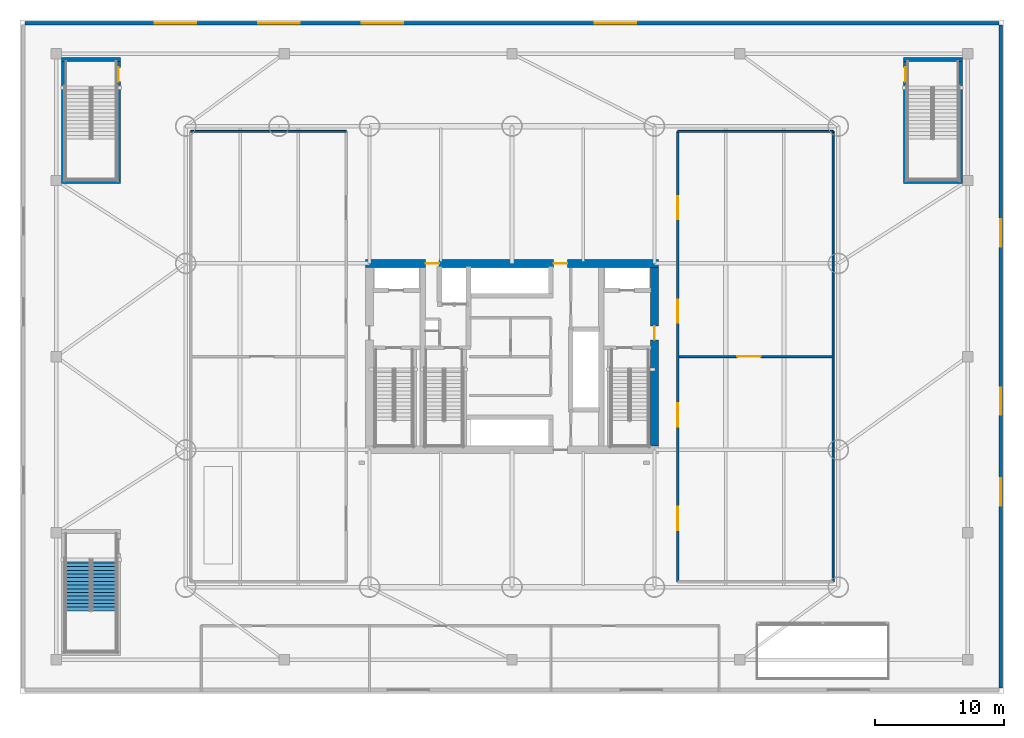
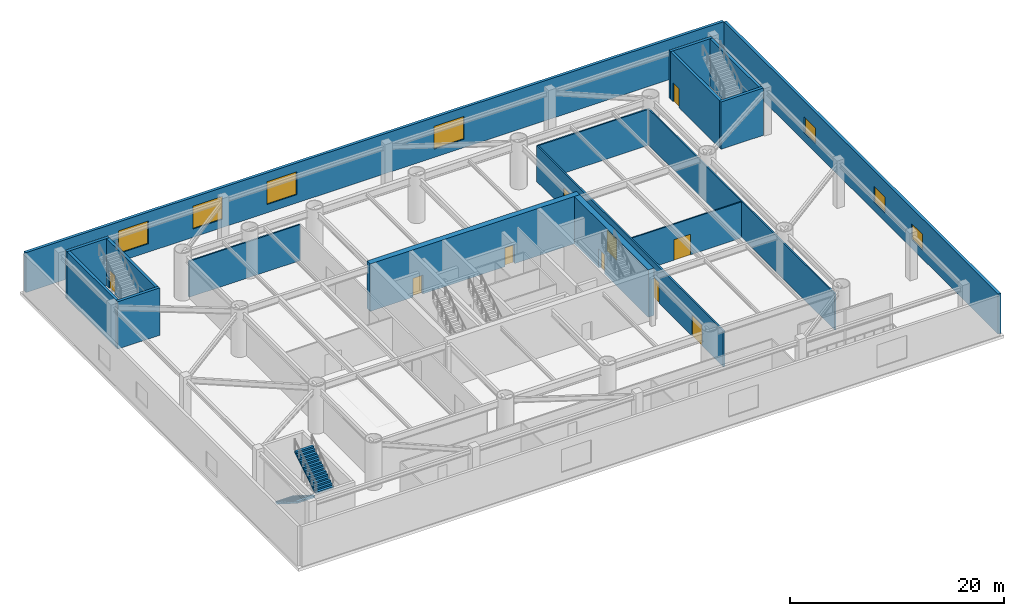
# One storey, part 8 of 16: 17 walls, 10 doors, 7 windows, 2 stair flights, 17 openings, 1 element without a shape of its own.
"""IFC4 building model written with IfcOpenShell, lengths in metres."""

import ifcopenshell
import ifcopenshell.guid

model = None  # the IFC model being written
_history = None  # IfcOwnerHistory: only IFC2X3 demands one
_inside = {}  # id of a spatial element -> (the spatial element, [elements in it])
_under = {}  # id of a project, library or spatial element -> (it, [spatial elements below it])
_declared = {}  # id of a project -> (the project, [libraries it declares])
_typed = {}  # id of a type object -> (the type object, [elements of that type])
_made_of = {}  # id of a material, layer set ... -> (it, [elements and type objects made of it])


def new_model(schema):
    """Start an empty IFC model of exactly this schema.

    Asked for "IFC4X3", IfcOpenShell would pick the latest addendum, in which some entities
    have other attributes; the version numbers below select the first issue.
    IFC2X3 requires an IfcOwnerHistory on every rooted entity: one is made here for all.
    """
    global model, _history
    if schema == "IFC4X3":
        model = ifcopenshell.file(schema_version=(4, 3, 0, 0))
    else:
        model = ifcopenshell.file(schema=schema)
    _inside.clear()
    _under.clear()
    _declared.clear()
    _typed.clear()
    _made_of.clear()
    _history = None
    if model.schema == "IFC2X3":
        org = make("IfcOrganization", Name="unknown")
        user = make(
            "IfcPersonAndOrganization",
            ThePerson=make("IfcPerson", FamilyName="unknown"),
            TheOrganization=org,
        )
        app = make(
            "IfcApplication",
            ApplicationDeveloper=org,
            Version="unknown",
            ApplicationFullName="unknown",
            ApplicationIdentifier="unknown",
        )
        _history = make(
            "IfcOwnerHistory",
            OwningUser=user,
            OwningApplication=app,
            ChangeAction="ADDED",
            CreationDate=0,
        )
    return model


def make(cls, **values):
    """One entity of the class cls with the attributes given. An attribute that is None is left unset."""
    return model.create_entity(
        cls, **{name: value for name, value in values.items() if value is not None}
    )


def rooted(cls, **values):
    """An entity with a GlobalId (a new one), such as an element, a storey or a relation."""
    return make(cls, GlobalId=ifcopenshell.guid.new(), OwnerHistory=_history, **values)


def si_unit(unit_type, name, prefix=None):
    """IfcSIUnit, for example si_unit("LENGTHUNIT", "METRE", prefix="MILLI")."""
    return make("IfcSIUnit", UnitType=unit_type, Prefix=prefix, Name=name)


def assignment(units):
    """IfcUnitAssignment: the units of a project."""
    return None if units is None else make("IfcUnitAssignment", Units=units)


def point(xyz):
    """IfcCartesianPoint."""
    return None if xyz is None else make("IfcCartesianPoint", Coordinates=xyz)


def direction(xyz):
    """IfcDirection."""
    return None if xyz is None else make("IfcDirection", DirectionRatios=xyz)


def frame(location, z_axis=None, x_axis=None):
    """IfcAxis2Placement3D, a coordinate frame: its origin and axes. An axis left out is left unset."""
    return make(
        "IfcAxis2Placement3D",
        Location=point(location),
        Axis=direction(z_axis),
        RefDirection=direction(x_axis),
    )


def frame_2d(location, x_axis=None):
    """IfcAxis2Placement2D, a coordinate frame in the plane: its origin and x axis."""
    return make(
        "IfcAxis2Placement2D", Location=point(location), RefDirection=direction(x_axis)
    )


def origin():
    """The frame at (0, 0, 0) with its axes left unset."""
    return frame((0.0, 0.0, 0.0))


def place(relative_to, where):
    """IfcLocalPlacement: puts the frame where relative to a parent placement (None: the world)."""
    return make(
        "IfcLocalPlacement", PlacementRelTo=relative_to, RelativePlacement=where
    )


def context(
    kind, dimensions, precision=None, world=None, true_north=None, identifier=None
):
    """IfcGeometricRepresentationContext, for example the 3D "Model" context."""
    return make(
        "IfcGeometricRepresentationContext",
        ContextIdentifier=identifier,
        ContextType=kind,
        CoordinateSpaceDimension=dimensions,
        Precision=precision,
        WorldCoordinateSystem=world,
        TrueNorth=true_north,
    )


def subcontext(parent, identifier, kind, view, scale=None):
    """IfcGeometricRepresentationSubContext, for example "Body" below "Model"."""
    return make(
        "IfcGeometricRepresentationSubContext",
        ContextIdentifier=identifier,
        ContextType=kind,
        ParentContext=parent,
        TargetScale=scale,
        TargetView=view,
    )


def project(units=None, contexts=None):
    """IfcProject with its units and contexts."""
    return rooted(
        "IfcProject",
        Name="project",
        RepresentationContexts=contexts,
        UnitsInContext=assignment(units),
    )


def spatial(cls, under=None, at=None, **own):
    """A site, building, storey or space (cls), placed at a placement, below another one or the project."""
    s = rooted(cls, ObjectPlacement=at, **own)
    if under is not None:
        _under.setdefault(under.id(), (under, []))[1].append(s)
    return s


def polyline(points):
    """IfcPolyline through the points."""
    return make("IfcPolyline", Points=[point(p) for p in points])


def profile(cls, at=None, kind="AREA", **sizes):
    """A parametric profile (cls). Its sizes go by their IFC names, for example OverallWidth=200.0."""
    return make(cls, ProfileType=kind, Position=at, **sizes)


def rectangle(**sizes):
    """IfcRectangleProfileDef."""
    return profile("IfcRectangleProfileDef", **sizes)


def outline(outer, holes=None, kind="AREA"):
    """IfcArbitraryClosedProfileDef: a profile drawn as a closed curve; with holes, ...WithVoids."""
    if holes is None:
        return make("IfcArbitraryClosedProfileDef", ProfileType=kind, OuterCurve=outer)
    return make(
        "IfcArbitraryProfileDefWithVoids",
        ProfileType=kind,
        OuterCurve=outer,
        InnerCurves=holes,
    )


def extrude(swept, where, along, depth):
    """IfcExtrudedAreaSolid: the profile swept, set in the frame where, extruded along a direction by depth."""
    return make(
        "IfcExtrudedAreaSolid",
        SweptArea=swept,
        Position=where,
        ExtrudedDirection=direction(along),
        Depth=depth,
    )


def shape(context_of_items, identifier, shape_type, items):
    """IfcShapeRepresentation: the items that make up one representation, for example the "Body"."""
    return make(
        "IfcShapeRepresentation",
        ContextOfItems=context_of_items,
        RepresentationIdentifier=identifier,
        RepresentationType=shape_type,
        Items=items,
    )


def material(Name=None, Category=None):
    """IfcMaterial."""
    return make("IfcMaterial", Name=Name, Category=Category)


def layer(
    of_material, thickness, ventilated=None, Name=None, Category=None, Priority=None
):
    """IfcMaterialLayer: one layer of a wall or slab, of a material (None: an air gap)."""
    return make(
        "IfcMaterialLayer",
        Material=of_material,
        LayerThickness=thickness,
        IsVentilated=ventilated,
        Name=Name,
        Category=Category,
        Priority=Priority,
    )


def layer_set(layers, Name=None):
    """IfcMaterialLayerSet."""
    return make("IfcMaterialLayerSet", MaterialLayers=layers, LayerSetName=Name)


def made_of(thing, what):
    """Note that an element or type object is made of a material, layer set ...; save() writes the relation."""
    if what is not None:
        _made_of.setdefault(what.id(), (what, []))[1].append(thing)
    return thing


def type_object(cls, material=None, **own):
    """A type object (cls), such as IfcWallType, which elements share."""
    return made_of(rooted(cls, **own), material)


def element(
    cls,
    number,
    at=None,
    inside=None,
    cuts=None,
    type_object=None,
    material=None,
    context=None,
    identifier="Body",
    shape_type=None,
    held_by="IfcProductDefinitionShape",
    body=None,
    shapes=None,
    **own,
):
    """One element of the class cls, such as IfcWall. Its Tag is "e" and its number.

    at: its placement. inside: the storey or other place that contains it. cuts: it is an
    opening in that element (IfcRelVoidsElement). A single representation is given by context,
    identifier, shape_type and body (its items); several are given by shapes. held_by: the class
    of the entity that holds the representations. save() writes the other relations.
    """
    e = rooted(cls, Tag="e%d" % number, ObjectPlacement=at, **own)
    if body is not None:
        shapes = [shape(context, identifier, shape_type, body)]
    if shapes is not None:
        e.Representation = make(held_by, Representations=shapes)
    if inside is not None:
        _inside.setdefault(inside.id(), (inside, []))[1].append(e)
    if cuts is not None:
        rooted(
            "IfcRelVoidsElement", RelatingBuildingElement=cuts, RelatedOpeningElement=e
        )
    if type_object is not None:
        _typed.setdefault(type_object.id(), (type_object, []))[1].append(e)
    return made_of(e, material)


def fill(opening, filler):
    """IfcRelFillsElement: the door or window that sits in an opening."""
    return rooted(
        "IfcRelFillsElement",
        RelatingOpeningElement=opening,
        RelatedBuildingElement=filler,
    )


def aggregate(whole, parts):
    """IfcRelAggregates: a whole, such as a stair, and the parts it consists of."""
    return rooted("IfcRelAggregates", RelatingObject=whole, RelatedObjects=parts)


def save(model, path):
    """Write the relations noted so far, then the file.

    IfcRelAggregates (storeys below a building ...), IfcRelContainedInSpatialStructure (elements
    in a storey), IfcRelDefinesByType, IfcRelAssociatesMaterial and IfcRelDeclares: one each for
    every whole, place, type object, material and project.
    """
    for whole, parts in _under.values():
        aggregate(whole, parts)
    for where, things in _inside.values():
        rooted(
            "IfcRelContainedInSpatialStructure",
            RelatedElements=things,
            RelatingStructure=where,
        )
    for kind, things in _typed.values():
        rooted("IfcRelDefinesByType", RelatedObjects=things, RelatingType=kind)
    for what, things in _made_of.values():
        rooted("IfcRelAssociatesMaterial", RelatedObjects=things, RelatingMaterial=what)
    for by, libraries in _declared.values():
        rooted("IfcRelDeclares", RelatingContext=by, RelatedDefinitions=libraries)
    model.write(path)


model = new_model("IFC4")

# Units and contexts
model_context = context("Model", 3, precision=1e-05, world=origin(), true_north=direction((0.0, 1.0)))
body_context = subcontext(model_context, "Body", "Model", "MODEL_VIEW")
ifc_project = project(units=[si_unit("LENGTHUNIT", "METRE"), si_unit("AREAUNIT", "SQUARE_METRE"), si_unit("VOLUMEUNIT", "CUBIC_METRE"), si_unit("PLANEANGLEUNIT", "RADIAN"), si_unit("MASSUNIT", "GRAM", prefix="KILO")], contexts=[model_context])

# Site, building, storey
site_placement = place(None, origin())
site = spatial("IfcSite", under=ifc_project, at=site_placement, CompositionType="ELEMENT")
building_placement = place(site_placement, origin())
building = spatial("IfcBuilding", under=site, at=building_placement, Name="Bramvorn Convention Spire", CompositionType="ELEMENT")
storey_placement = place(building_placement, frame((0.0, 0.0, 6.60009765625)))
storey = spatial("IfcBuildingStorey", under=building, at=storey_placement, Name="L01", CompositionType="ELEMENT", Elevation=6.60009765625)

# Wall, openings, doors
ifc_material_1 = material(Name="Concrete C60/70", Category="concrete")
ifc_layer_1 = layer(ifc_material_1, 0.60009765625)
ifc_layer_set_1 = layer_set([ifc_layer_1], Name="Concrete C60/70 - WL-CORE-600")
wall_type_1 = type_object("IfcWallType", Name="WL-CORE-600", PredefinedType="SHEAR", material=ifc_layer_set_1)
wall_1_placement = place(storey_placement, frame((26.699951171875, 33.199951171875, 0.0), z_axis=(0.0, 0.0, 1.0), x_axis=(1.0, 0.0, 0.0)))
wall_1 = element("IfcWall", 1, at=wall_1_placement, inside=storey, type_object=wall_type_1, Name="L01 North RC core shear wall", PredefinedType="SHEAR", context=body_context, shape_type="SweptSolid", body=[
    extrude(rectangle(XDim=22.60009765625, YDim=0.60009765625, at=frame_2d((11.300048828125, 0.0))), origin(), (0.0, 0.0, 1.0), 5.39990234375),
])
opening_1_placement = place(wall_1_placement, frame((4.6201171875, 0.0, 0.0)))
opening_1 = element("IfcOpeningElement", 2, at=opening_1_placement, cuts=wall_1, Name="Opening DL-105", PredefinedType="OPENING", context=body_context, shape_type="SweptSolid", body=[
    extrude(rectangle(XDim=1.050048828125, YDim=2.14990234375, at=frame_2d((0.52490234375, 1.074951171875))), frame((0.0, 0.31005859375, 0.0), z_axis=(0.0, -1.0, 0.0), x_axis=(1.0, 0.0, 0.0)), (0.0, 0.0, 1.0), 0.6201171875),
])
opening_2_placement = place(wall_1_placement, frame((14.52001953125, 0.0, 0.0)))
opening_2 = element("IfcOpeningElement", 3, at=opening_2_placement, cuts=wall_1, Name="Opening DL-105", PredefinedType="OPENING", context=body_context, shape_type="SweptSolid", body=[
    extrude(rectangle(XDim=1.050048828125, YDim=2.14990234375, at=frame_2d((0.52490234375, 1.074951171875))), frame((0.0, 0.31005859375, 0.0), z_axis=(0.0, -1.0, 0.0), x_axis=(1.0, 0.0, 0.0)), (0.0, 0.0, 1.0), 0.6201171875),
])
ifc_material_2 = material(Name="Smoke-Sealed Fire Lobby Timber-Core Door", Category="wood")
door_type_1 = type_object("IfcDoorType", Name="DR-LOBBY-1050", OperationType="NOTDEFINED", PredefinedType="DOOR", material=ifc_material_2)
door_1_placement = place(opening_1_placement, origin())
door_1 = element("IfcDoor", 4, at=door_1_placement, inside=storey, type_object=door_type_1, Name="L01 Service & Stair ST3 Lobby north corridor door", OperationType="SINGLE_SWING_LEFT", OverallHeight=2.14990234375, OverallWidth=1.050048828125, PredefinedType="DOOR", context=body_context, shape_type="SweptSolid", body=[
    extrude(rectangle(XDim=1.050048828125, YDim=2.14990234375, at=frame_2d((0.52490234375, 1.074951171875))), frame((0.0, 0.02490234375, 0.0), z_axis=(0.0, -1.0, 0.0), x_axis=(1.0, 0.0, 0.0)), (0.0, 0.0, 1.0), 0.050048828125),
])
fill(opening_1, door_1)
door_2_placement = place(opening_2_placement, origin())
door_2 = element("IfcDoor", 5, at=door_2_placement, inside=storey, type_object=door_type_1, Name="L01 North Lift Lobby fire door", OperationType="SINGLE_SWING_LEFT", OverallHeight=2.14990234375, OverallWidth=1.050048828125, PredefinedType="DOOR", context=body_context, shape_type="SweptSolid", body=[
    extrude(rectangle(XDim=1.050048828125, YDim=2.14990234375, at=frame_2d((0.52490234375, 1.074951171875))), frame((0.0, 0.02490234375, 0.0), z_axis=(0.0, -1.0, 0.0), x_axis=(1.0, 0.0, 0.0)), (0.0, 0.0, 1.0), 0.050048828125),
])
fill(opening_2, door_2)

# Wall, opening, door
wall_2_placement = place(storey_placement, frame((49.0, 19.10009765625, 0.0), z_axis=(0.0, 0.0, 1.0), x_axis=(0.0, 1.0, 0.0)))
wall_2 = element("IfcWall", 6, at=wall_2_placement, inside=storey, type_object=wall_type_1, Name="L01 East RC core shear wall", PredefinedType="SHEAR", context=body_context, shape_type="SweptSolid", body=[
    extrude(rectangle(XDim=13.7998046875, YDim=0.60009765625, at=frame_2d((6.89990234375, 0.0))), origin(), (0.0, 0.0, 1.0), 5.39990234375),
])
opening_3_placement = place(wall_2_placement, frame((8.199951171875, 0.0, 0.0)))
opening_3 = element("IfcOpeningElement", 7, at=opening_3_placement, cuts=wall_2, Name="Opening DL-105", PredefinedType="OPENING", context=body_context, shape_type="SweptSolid", body=[
    extrude(rectangle(XDim=1.050048828125, YDim=2.14990234375, at=frame_2d((0.52490234375, 1.074951171875))), frame((0.0, 0.31005859375, 0.0), z_axis=(0.0, -1.0, 0.0), x_axis=(1.0, 0.0, 0.0)), (0.0, 0.0, 1.0), 0.6201171875),
])
door_3_placement = place(opening_3_placement, origin())
door_3 = element("IfcDoor", 8, at=door_3_placement, inside=storey, type_object=door_type_1, Name="L01 East Firefighting Lobby corridor door", OperationType="SINGLE_SWING_LEFT", OverallHeight=2.14990234375, OverallWidth=1.050048828125, PredefinedType="DOOR", context=body_context, shape_type="SweptSolid", body=[
    extrude(rectangle(XDim=1.050048828125, YDim=2.14990234375, at=frame_2d((0.52490234375, 1.074951171875))), frame((0.0, 0.02490234375, 0.0), z_axis=(0.0, -1.0, 0.0), x_axis=(1.0, 0.0, 0.0)), (0.0, 0.0, 1.0), 0.050048828125),
])
fill(opening_3, door_3)

# Wall, openings, windows
ifc_material_3 = material(Name="Precast Concrete C40/50 with Bronze Terracotta Rainscreen", Category="masonry")
ifc_layer_2 = layer(ifc_material_3, 0.300048828125)
ifc_layer_set_2 = layer_set([ifc_layer_2], Name="Precast Concrete C40/50 with Bronze Terracotta Rainscreen - WL-EXT-BRONZE-300")
wall_type_2 = type_object("IfcWallType", Name="WL-EXT-BRONZE-300", PredefinedType="SOLIDWALL", material=ifc_layer_set_2)
wall_3_placement = place(storey_placement, frame((0.39990234375, 51.75, 0.0), z_axis=(0.0, 0.0, 1.0), x_axis=(1.0, 0.0, 0.0)))
wall_3 = element("IfcWall", 9, at=wall_3_placement, inside=storey, type_object=wall_type_2, Name="L01 North podium bronze facade wall", PredefinedType="SOLIDWALL", context=body_context, shape_type="SweptSolid", body=[
    extrude(rectangle(XDim=75.2001953125, YDim=0.300048828125, at=frame_2d((37.60009765625, 0.0))), origin(), (0.0, 0.0, 1.0), 4.559814453125),
])
opening_4_placement = place(wall_3_placement, frame((10.0, 0.0, 0.949951171875)))
opening_4 = element("IfcOpeningElement", 10, at=opening_4_placement, cuts=wall_3, Name="Opening WN10", PredefinedType="OPENING", context=body_context, shape_type="SweptSolid", body=[
    extrude(rectangle(XDim=3.199951171875, YDim=2.60009765625, at=frame_2d((1.60009765625, 1.300048828125))), frame((0.0, 0.159912109375, 0.0), z_axis=(0.0, -1.0, 0.0), x_axis=(1.0, 0.0, 0.0)), (0.0, 0.0, 1.0), 0.320068359375),
])
opening_5_placement = place(wall_3_placement, frame((18.0, 0.0, 0.949951171875)))
opening_5 = element("IfcOpeningElement", 11, at=opening_5_placement, cuts=wall_3, Name="Opening WN10", PredefinedType="OPENING", context=body_context, shape_type="SweptSolid", body=[
    extrude(rectangle(XDim=3.199951171875, YDim=2.60009765625, at=frame_2d((1.60009765625, 1.300048828125))), frame((0.0, 0.159912109375, 0.0), z_axis=(0.0, -1.0, 0.0), x_axis=(1.0, 0.0, 0.0)), (0.0, 0.0, 1.0), 0.320068359375),
])
opening_6_placement = place(wall_3_placement, frame((26.0, 0.0, 0.949951171875)))
opening_6 = element("IfcOpeningElement", 12, at=opening_6_placement, cuts=wall_3, Name="Opening WN10", PredefinedType="OPENING", context=body_context, shape_type="SweptSolid", body=[
    extrude(rectangle(XDim=3.199951171875, YDim=2.60009765625, at=frame_2d((1.60009765625, 1.300048828125))), frame((0.0, 0.159912109375, 0.0), z_axis=(0.0, -1.0, 0.0), x_axis=(1.0, 0.0, 0.0)), (0.0, 0.0, 1.0), 0.320068359375),
])
opening_7_placement = place(wall_3_placement, frame((44.0, 0.0, 0.949951171875)))
opening_7 = element("IfcOpeningElement", 13, at=opening_7_placement, cuts=wall_3, Name="Opening WN10", PredefinedType="OPENING", context=body_context, shape_type="SweptSolid", body=[
    extrude(rectangle(XDim=3.199951171875, YDim=2.60009765625, at=frame_2d((1.60009765625, 1.300048828125))), frame((0.0, 0.159912109375, 0.0), z_axis=(0.0, -1.0, 0.0), x_axis=(1.0, 0.0, 0.0)), (0.0, 0.0, 1.0), 0.320068359375),
])
ifc_material_4 = material(Name="Thermally Broken Bronze Aluminium & Triple Low-E Glass", Category="aluminium")
window_type_1 = type_object("IfcWindowType", Name="WN-POD-3200X2600", PartitioningType="SINGLE_PANEL", PredefinedType="WINDOW", material=ifc_material_4)
window_1_placement = place(opening_4_placement, origin())
window_1 = element("IfcWindow", 14, at=window_1_placement, inside=storey, type_object=window_type_1, Name="L01 North operable convention window 1", OverallHeight=2.60009765625, OverallWidth=3.199951171875, PartitioningType="SINGLE_PANEL", PredefinedType="WINDOW", context=body_context, shape_type="SweptSolid", body=[
    extrude(rectangle(XDim=3.199951171875, YDim=2.60009765625, at=frame_2d((1.60009765625, 1.300048828125))), frame((0.0, 0.030029296875, 0.0), z_axis=(0.0, -1.0, 0.0), x_axis=(1.0, 0.0, 0.0)), (0.0, 0.0, 1.0), 0.06005859375),
])
fill(opening_4, window_1)
window_2_placement = place(opening_5_placement, origin())
window_2 = element("IfcWindow", 15, at=window_2_placement, inside=storey, type_object=window_type_1, Name="L01 North operable convention window 2", OverallHeight=2.60009765625, OverallWidth=3.199951171875, PartitioningType="SINGLE_PANEL", PredefinedType="WINDOW", context=body_context, shape_type="SweptSolid", body=[
    extrude(rectangle(XDim=3.199951171875, YDim=2.60009765625, at=frame_2d((1.60009765625, 1.300048828125))), frame((0.0, 0.030029296875, 0.0), z_axis=(0.0, -1.0, 0.0), x_axis=(1.0, 0.0, 0.0)), (0.0, 0.0, 1.0), 0.06005859375),
])
fill(opening_5, window_2)
window_3_placement = place(opening_6_placement, origin())
window_3 = element("IfcWindow", 16, at=window_3_placement, inside=storey, type_object=window_type_1, Name="L01 North operable convention window 3", OverallHeight=2.60009765625, OverallWidth=3.199951171875, PartitioningType="SINGLE_PANEL", PredefinedType="WINDOW", context=body_context, shape_type="SweptSolid", body=[
    extrude(rectangle(XDim=3.199951171875, YDim=2.60009765625, at=frame_2d((1.60009765625, 1.300048828125))), frame((0.0, 0.030029296875, 0.0), z_axis=(0.0, -1.0, 0.0), x_axis=(1.0, 0.0, 0.0)), (0.0, 0.0, 1.0), 0.06005859375),
])
fill(opening_6, window_3)
window_4_placement = place(opening_7_placement, origin())
window_4 = element("IfcWindow", 17, at=window_4_placement, inside=storey, type_object=window_type_1, Name="L01 North operable convention window 4", OverallHeight=2.60009765625, OverallWidth=3.199951171875, PartitioningType="SINGLE_PANEL", PredefinedType="WINDOW", context=body_context, shape_type="SweptSolid", body=[
    extrude(rectangle(XDim=3.199951171875, YDim=2.60009765625, at=frame_2d((1.60009765625, 1.300048828125))), frame((0.0, 0.030029296875, 0.0), z_axis=(0.0, -1.0, 0.0), x_axis=(1.0, 0.0, 0.0)), (0.0, 0.0, 1.0), 0.06005859375),
])
fill(opening_7, window_4)

wall_4_placement = place(storey_placement, frame((75.75, 51.60009765625, 0.0), z_axis=(0.0, 0.0, 1.0), x_axis=(0.0, -1.0, 0.0)))
wall_4 = element("IfcWall", 18, at=wall_4_placement, inside=storey, type_object=wall_type_2, Name="L01 East podium bronze facade wall", PredefinedType="SOLIDWALL", context=body_context, shape_type="SweptSolid", body=[
    extrude(rectangle(XDim=51.2001953125, YDim=0.300048828125, at=frame_2d((25.60009765625, 0.0))), origin(), (0.0, 0.0, 1.0), 4.559814453125),
])
opening_8_placement = place(wall_4_placement, frame((15.0, 0.0, 1.0)))
opening_8 = element("IfcOpeningElement", 19, at=opening_8_placement, cuts=wall_4, Name="Opening WN04", PredefinedType="OPENING", context=body_context, shape_type="SweptSolid", body=[
    extrude(rectangle(XDim=2.10009765625, YDim=1.800048828125, at=frame_2d((1.050048828125, 0.89990234375))), frame((0.0, 0.159912109375, 0.0), z_axis=(0.0, -1.0, 0.0), x_axis=(1.0, 0.0, 0.0)), (0.0, 0.0, 1.0), 0.320068359375),
])
opening_9_placement = place(wall_4_placement, frame((28.0, 0.0, 1.0)))
opening_9 = element("IfcOpeningElement", 20, at=opening_9_placement, cuts=wall_4, Name="Opening WN04", PredefinedType="OPENING", context=body_context, shape_type="SweptSolid", body=[
    extrude(rectangle(XDim=2.10009765625, YDim=1.800048828125, at=frame_2d((1.050048828125, 0.89990234375))), frame((0.0, 0.159912109375, 0.0), z_axis=(0.0, -1.0, 0.0), x_axis=(1.0, 0.0, 0.0)), (0.0, 0.0, 1.0), 0.320068359375),
])
opening_10_placement = place(wall_4_placement, frame((35.0, 0.0, 1.0)))
opening_10 = element("IfcOpeningElement", 21, at=opening_10_placement, cuts=wall_4, Name="Opening WN04", PredefinedType="OPENING", context=body_context, shape_type="SweptSolid", body=[
    extrude(rectangle(XDim=2.10009765625, YDim=1.800048828125, at=frame_2d((1.050048828125, 0.89990234375))), frame((0.0, 0.159912109375, 0.0), z_axis=(0.0, -1.0, 0.0), x_axis=(1.0, 0.0, 0.0)), (0.0, 0.0, 1.0), 0.320068359375),
])
window_type_2 = type_object("IfcWindowType", Name="WN-OP-2100X1800", PartitioningType="SINGLE_PANEL", PredefinedType="WINDOW", material=ifc_material_4)
window_5_placement = place(opening_8_placement, origin())
window_5 = element("IfcWindow", 22, at=window_5_placement, inside=storey, type_object=window_type_2, Name="L01 East operable window 1", OverallHeight=1.800048828125, OverallWidth=2.10009765625, PartitioningType="SINGLE_PANEL", PredefinedType="WINDOW", context=body_context, shape_type="SweptSolid", body=[
    extrude(rectangle(XDim=2.10009765625, YDim=1.800048828125, at=frame_2d((1.050048828125, 0.89990234375))), frame((0.0, 0.030029296875, 0.0), z_axis=(0.0, -1.0, 0.0), x_axis=(1.0, 0.0, 0.0)), (0.0, 0.0, 1.0), 0.06005859375),
])
fill(opening_8, window_5)
window_6_placement = place(opening_9_placement, origin())
window_6 = element("IfcWindow", 23, at=window_6_placement, inside=storey, type_object=window_type_2, Name="L01 East operable window 2", OverallHeight=1.800048828125, OverallWidth=2.10009765625, PartitioningType="SINGLE_PANEL", PredefinedType="WINDOW", context=body_context, shape_type="SweptSolid", body=[
    extrude(rectangle(XDim=2.10009765625, YDim=1.800048828125, at=frame_2d((1.050048828125, 0.89990234375))), frame((0.0, 0.030029296875, 0.0), z_axis=(0.0, -1.0, 0.0), x_axis=(1.0, 0.0, 0.0)), (0.0, 0.0, 1.0), 0.06005859375),
])
fill(opening_9, window_6)
window_7_placement = place(opening_10_placement, origin())
window_7 = element("IfcWindow", 24, at=window_7_placement, inside=storey, type_object=window_type_2, Name="L01 East operable window 3", OverallHeight=1.800048828125, OverallWidth=2.10009765625, PartitioningType="SINGLE_PANEL", PredefinedType="WINDOW", context=body_context, shape_type="SweptSolid", body=[
    extrude(rectangle(XDim=2.10009765625, YDim=1.800048828125, at=frame_2d((1.050048828125, 0.89990234375))), frame((0.0, 0.030029296875, 0.0), z_axis=(0.0, -1.0, 0.0), x_axis=(1.0, 0.0, 0.0)), (0.0, 0.0, 1.0), 0.06005859375),
])
fill(opening_10, window_7)

# Wall, opening, door
ifc_material_5 = material(Name="Motorised Operable Acoustic Hall Partition", Category="gypsum")
ifc_layer_3 = layer(ifc_material_5, 0.139892578125)
ifc_layer_set_3 = layer_set([ifc_layer_3], Name="Motorised Operable Acoustic Hall Partition - WL-MOVABLE-140")
wall_type_3 = type_object("IfcWallType", Name="WL-MOVABLE-140", PredefinedType="MOVABLE", material=ifc_layer_set_3)
wall_5_placement = place(storey_placement, frame((50.89990234375, 26.0, 0.0), z_axis=(0.0, 0.0, 1.0), x_axis=(1.0, 0.0, 0.0)))
wall_5 = element("IfcWall", 25, at=wall_5_placement, inside=storey, type_object=wall_type_3, Name="L01 Operable hall wall E", PredefinedType="MOVABLE", context=body_context, shape_type="SweptSolid", body=[
    extrude(rectangle(XDim=11.800048828125, YDim=0.139892578125, at=frame_2d((5.89990234375, 0.0))), origin(), (0.0, 0.0, 1.0), 4.10986328125),
])
opening_11_placement = place(wall_5_placement, frame((4.5, 0.0, 0.0)))
opening_11 = element("IfcOpeningElement", 26, at=opening_11_placement, cuts=wall_5, Name="Opening DH-180", PredefinedType="OPENING", context=body_context, shape_type="SweptSolid", body=[
    extrude(rectangle(XDim=1.800048828125, YDim=2.35009765625, at=frame_2d((0.89990234375, 1.175048828125))), frame((0.0, 0.079833984375, 0.0), z_axis=(0.0, -1.0, 0.0), x_axis=(1.0, 0.0, 0.0)), (0.0, 0.0, 1.0), 0.159912109375),
])
ifc_material_6 = material(Name="Double-Leaf Acoustic Assembly Hall Door", Category="wood")
door_type_2 = type_object("IfcDoorType", Name="DR-HALL-1800", OperationType="NOTDEFINED", PredefinedType="DOOR", material=ifc_material_6)
door_4_placement = place(opening_11_placement, origin())
door_4 = element("IfcDoor", 27, at=door_4_placement, inside=storey, type_object=door_type_2, Name="L01 Operable pass door E", OperationType="DOUBLE_DOOR_SINGLE_SWING", OverallHeight=2.35009765625, OverallWidth=1.800048828125, PredefinedType="DOOR", context=body_context, shape_type="SweptSolid", body=[
    extrude(rectangle(XDim=1.800048828125, YDim=2.35009765625, at=frame_2d((0.89990234375, 1.175048828125))), frame((0.0, 0.02490234375, 0.0), z_axis=(0.0, -1.0, 0.0), x_axis=(1.0, 0.0, 0.0)), (0.0, 0.0, 1.0), 0.050048828125),
])
fill(opening_11, door_4)

# Walls
ifc_material_7 = material(Name="Acoustic Metal-Stud Tenant/Corridor Partition", Category="gypsum")
ifc_layer_4 = layer(ifc_material_7, 0.14990234375)
ifc_layer_set_4 = layer_set([ifc_layer_4], Name="Acoustic Metal-Stud Tenant/Corridor Partition - WL-PART-150")
wall_type_4 = type_object("IfcWallType", Name="WL-PART-150", PredefinedType="PARTITIONING", material=ifc_layer_set_4)
for number, where, z_axis, x_axis, name in (
    (28, (13.199951171875, 43.39990234375, 0.0), (0.0, 0.0, 1.0), (1.0, 0.0, 0.0), "L01 West Hall north wall"),
    (29, (50.800048828125, 43.39990234375, 0.0), (0.0, 0.0, 1.0), (1.0, 0.0, 0.0), "L01 East Hall north wall"),
):
    element("IfcWall", number, at=place(storey_placement, frame(where, z_axis=z_axis, x_axis=x_axis)), inside=storey, type_object=wall_type_4, Name=name, PredefinedType="PARTITIONING", context=body_context, shape_type="SweptSolid", body=[
        extrude(rectangle(XDim=12.0, YDim=0.14990234375, at=frame_2d((6.0, 0.0))), origin(), (0.0, 0.0, 1.0), 4.10986328125),
    ])
wall_6_placement = place(storey_placement, frame((62.800048828125, 8.60009765625, 0.0), z_axis=(0.0, 0.0, 1.0), x_axis=(0.0, 1.0, 0.0)))
element("IfcWall", 30, at=wall_6_placement, inside=storey, type_object=wall_type_4, Name="L01 East Hall outer gallery wall", PredefinedType="PARTITIONING", context=body_context, shape_type="SweptSolid", body=[
    extrude(rectangle(XDim=34.7998046875, YDim=0.14990234375, at=frame_2d((17.39990234375, 0.0))), origin(), (0.0, 0.0, 1.0), 4.10986328125),
])

# Wall, openings, doors
ifc_material_8 = material(Name="Double-Stud Acoustic Hotel/Suite Partition", Category="gypsum")
ifc_layer_5 = layer(ifc_material_8, 0.175048828125)
ifc_layer_set_5 = layer_set([ifc_layer_5], Name="Double-Stud Acoustic Hotel/Suite Partition - WL-PART-175")
wall_type_5 = type_object("IfcWallType", Name="WL-PART-175", PredefinedType="PARTITIONING", material=ifc_layer_set_5)
wall_7_placement = place(storey_placement, frame((50.800048828125, 8.60009765625, 0.0), z_axis=(0.0, 0.0, 1.0), x_axis=(0.0, 1.0, 0.0)))
wall_7 = element("IfcWall", 31, at=wall_7_placement, inside=storey, type_object=wall_type_5, Name="L01 East Expo Hall foyer wall", PredefinedType="PARTITIONING", context=body_context, shape_type="SweptSolid", body=[
    extrude(rectangle(XDim=34.7998046875, YDim=0.175048828125, at=frame_2d((17.39990234375, 0.0))), origin(), (0.0, 0.0, 1.0), 4.10986328125),
])
opening_12_placement = place(wall_7_placement, frame((4.0, 0.0, 0.0)))
opening_12 = element("IfcOpeningElement", 32, at=opening_12_placement, cuts=wall_7, Name="Opening DH-180", PredefinedType="OPENING", context=body_context, shape_type="SweptSolid", body=[
    extrude(rectangle(XDim=1.800048828125, YDim=2.35009765625, at=frame_2d((0.89990234375, 1.175048828125))), frame((0.0, 0.097412109375, 0.0), z_axis=(0.0, -1.0, 0.0), x_axis=(1.0, 0.0, 0.0)), (0.0, 0.0, 1.0), 0.195068359375),
])
opening_13_placement = place(wall_7_placement, frame((12.0, 0.0, 0.0)))
opening_13 = element("IfcOpeningElement", 33, at=opening_13_placement, cuts=wall_7, Name="Opening DH-180", PredefinedType="OPENING", context=body_context, shape_type="SweptSolid", body=[
    extrude(rectangle(XDim=1.800048828125, YDim=2.35009765625, at=frame_2d((0.89990234375, 1.175048828125))), frame((0.0, 0.097412109375, 0.0), z_axis=(0.0, -1.0, 0.0), x_axis=(1.0, 0.0, 0.0)), (0.0, 0.0, 1.0), 0.195068359375),
])
opening_14_placement = place(wall_7_placement, frame((20.0, 0.0, 0.0)))
opening_14 = element("IfcOpeningElement", 34, at=opening_14_placement, cuts=wall_7, Name="Opening DH-180", PredefinedType="OPENING", context=body_context, shape_type="SweptSolid", body=[
    extrude(rectangle(XDim=1.800048828125, YDim=2.35009765625, at=frame_2d((0.89990234375, 1.175048828125))), frame((0.0, 0.097412109375, 0.0), z_axis=(0.0, -1.0, 0.0), x_axis=(1.0, 0.0, 0.0)), (0.0, 0.0, 1.0), 0.195068359375),
])
opening_15_placement = place(wall_7_placement, frame((28.0, 0.0, 0.0)))
opening_15 = element("IfcOpeningElement", 35, at=opening_15_placement, cuts=wall_7, Name="Opening DH-180", PredefinedType="OPENING", context=body_context, shape_type="SweptSolid", body=[
    extrude(rectangle(XDim=1.800048828125, YDim=2.35009765625, at=frame_2d((0.89990234375, 1.175048828125))), frame((0.0, 0.097412109375, 0.0), z_axis=(0.0, -1.0, 0.0), x_axis=(1.0, 0.0, 0.0)), (0.0, 0.0, 1.0), 0.195068359375),
])
door_5_placement = place(opening_12_placement, origin())
door_5 = element("IfcDoor", 36, at=door_5_placement, inside=storey, type_object=door_type_2, Name="L01 East Hall portal 1", OperationType="DOUBLE_DOOR_SINGLE_SWING", OverallHeight=2.35009765625, OverallWidth=1.800048828125, PredefinedType="DOOR", context=body_context, shape_type="SweptSolid", body=[
    extrude(rectangle(XDim=1.800048828125, YDim=2.35009765625, at=frame_2d((0.89990234375, 1.175048828125))), frame((0.0, 0.02490234375, 0.0), z_axis=(0.0, -1.0, 0.0), x_axis=(1.0, 0.0, 0.0)), (0.0, 0.0, 1.0), 0.050048828125),
])
fill(opening_12, door_5)
door_6_placement = place(opening_13_placement, origin())
door_6 = element("IfcDoor", 37, at=door_6_placement, inside=storey, type_object=door_type_2, Name="L01 East Hall portal 2", OperationType="DOUBLE_DOOR_SINGLE_SWING", OverallHeight=2.35009765625, OverallWidth=1.800048828125, PredefinedType="DOOR", context=body_context, shape_type="SweptSolid", body=[
    extrude(rectangle(XDim=1.800048828125, YDim=2.35009765625, at=frame_2d((0.89990234375, 1.175048828125))), frame((0.0, 0.02490234375, 0.0), z_axis=(0.0, -1.0, 0.0), x_axis=(1.0, 0.0, 0.0)), (0.0, 0.0, 1.0), 0.050048828125),
])
fill(opening_13, door_6)
door_7_placement = place(opening_14_placement, origin())
door_7 = element("IfcDoor", 38, at=door_7_placement, inside=storey, type_object=door_type_2, Name="L01 East Hall portal 3", OperationType="DOUBLE_DOOR_SINGLE_SWING", OverallHeight=2.35009765625, OverallWidth=1.800048828125, PredefinedType="DOOR", context=body_context, shape_type="SweptSolid", body=[
    extrude(rectangle(XDim=1.800048828125, YDim=2.35009765625, at=frame_2d((0.89990234375, 1.175048828125))), frame((0.0, 0.02490234375, 0.0), z_axis=(0.0, -1.0, 0.0), x_axis=(1.0, 0.0, 0.0)), (0.0, 0.0, 1.0), 0.050048828125),
])
fill(opening_14, door_7)
door_8_placement = place(opening_15_placement, origin())
door_8 = element("IfcDoor", 39, at=door_8_placement, inside=storey, type_object=door_type_2, Name="L01 East Hall portal 4", OperationType="DOUBLE_DOOR_SINGLE_SWING", OverallHeight=2.35009765625, OverallWidth=1.800048828125, PredefinedType="DOOR", context=body_context, shape_type="SweptSolid", body=[
    extrude(rectangle(XDim=1.800048828125, YDim=2.35009765625, at=frame_2d((0.89990234375, 1.175048828125))), frame((0.0, 0.02490234375, 0.0), z_axis=(0.0, -1.0, 0.0), x_axis=(1.0, 0.0, 0.0)), (0.0, 0.0, 1.0), 0.050048828125),
])
fill(opening_15, door_8)

# Walls
ifc_material_9 = material(Name="Concrete C50/60", Category="concrete")
ifc_layer_6 = layer(ifc_material_9, 0.300048828125)
ifc_layer_set_6 = layer_set([ifc_layer_6], Name="Concrete C50/60 - WL-POD-STAIR-300")
wall_type_6 = type_object("IfcWallType", Name="WL-POD-STAIR-300", PredefinedType="SHEAR", material=ifc_layer_set_6)
for number, where, z_axis, x_axis, name in (
    (40, (68.22998046875, 39.510009765625, 0.0), (0.0, 0.0, 1.0), (1.0, 0.0, 0.0), "L01 ST5 south shaft wall"),
    (41, (68.22998046875, 48.93994140625, 0.0), (0.0, 0.0, 1.0), (1.0, 0.0, 0.0), "L01 ST5 north shaft wall"),
):
    element("IfcWall", number, at=place(storey_placement, frame(where, z_axis=z_axis, x_axis=x_axis)), inside=storey, type_object=wall_type_6, Name=name, PredefinedType="SHEAR", context=body_context, shape_type="SweptSolid", body=[
        extrude(rectangle(XDim=4.56005859375, YDim=0.300048828125, at=frame_2d((2.280029296875, 0.0))), origin(), (0.0, 0.0, 1.0), 5.39990234375),
    ])

# Wall, opening, door
wall_8_placement = place(storey_placement, frame((68.3798828125, 39.659912109375, 0.0), z_axis=(0.0, 0.0, 1.0), x_axis=(0.0, 1.0, 0.0)))
wall_8 = element("IfcWall", 42, at=wall_8_placement, inside=storey, type_object=wall_type_6, Name="L01 ST5 west shaft wall", PredefinedType="SHEAR", context=body_context, shape_type="SweptSolid", body=[
    extrude(rectangle(XDim=9.130126953125, YDim=0.300048828125, at=frame_2d((4.56494140625, 0.0))), origin(), (0.0, 0.0, 1.0), 5.39990234375),
])
opening_16_placement = place(wall_8_placement, frame((7.580078125, 0.0, 0.0)))
opening_16 = element("IfcOpeningElement", 43, at=opening_16_placement, cuts=wall_8, Name="Opening DS-110", PredefinedType="OPENING", context=body_context, shape_type="SweptSolid", body=[
    extrude(rectangle(XDim=1.10009765625, YDim=2.14990234375, at=frame_2d((0.550048828125, 1.074951171875))), frame((0.0, 0.159912109375, 0.0), z_axis=(0.0, -1.0, 0.0), x_axis=(1.0, 0.0, 0.0)), (0.0, 0.0, 1.0), 0.320068359375),
])
ifc_material_10 = material(Name="Fire-Rated Hollow Steel Stairwell Door", Category="steel")
door_type_3 = type_object("IfcDoorType", Name="DR-STAIR-1100", OperationType="NOTDEFINED", PredefinedType="DOOR", material=ifc_material_10)
door_9_placement = place(opening_16_placement, origin())
door_9 = element("IfcDoor", 44, at=door_9_placement, inside=storey, type_object=door_type_3, Name="L01 ST5 exit stairwell door", OperationType="SINGLE_SWING_LEFT", OverallHeight=2.14990234375, OverallWidth=1.10009765625, PredefinedType="DOOR", context=body_context, shape_type="SweptSolid", body=[
    extrude(rectangle(XDim=1.10009765625, YDim=2.14990234375, at=frame_2d((0.550048828125, 1.074951171875))), frame((0.0, 0.02490234375, 0.0), z_axis=(0.0, -1.0, 0.0), x_axis=(1.0, 0.0, 0.0)), (0.0, 0.0, 1.0), 0.050048828125),
])
fill(opening_16, door_9)

# Walls
wall_9_placement = place(storey_placement, frame((72.639892578125, 48.7900390625, 0.0), z_axis=(0.0, 0.0, 1.0), x_axis=(0.0, -1.0, 0.0)))
element("IfcWall", 45, at=wall_9_placement, inside=storey, type_object=wall_type_6, Name="L01 ST5 east shaft wall", PredefinedType="SHEAR", context=body_context, shape_type="SweptSolid", body=[
    extrude(rectangle(XDim=9.130126953125, YDim=0.300048828125, at=frame_2d((4.56494140625, 0.0))), origin(), (0.0, 0.0, 1.0), 5.39990234375),
])
for number, where, z_axis, x_axis, name in (
    (46, (3.2099609375, 39.510009765625, 0.0), (0.0, 0.0, 1.0), (1.0, 0.0, 0.0), "L01 ST6 south shaft wall"),
    (47, (3.2099609375, 48.93994140625, 0.0), (0.0, 0.0, 1.0), (1.0, 0.0, 0.0), "L01 ST6 north shaft wall"),
):
    element("IfcWall", number, at=place(storey_placement, frame(where, z_axis=z_axis, x_axis=x_axis)), inside=storey, type_object=wall_type_6, Name=name, PredefinedType="SHEAR", context=body_context, shape_type="SweptSolid", body=[
        extrude(rectangle(XDim=4.56005859375, YDim=0.300048828125, at=frame_2d((2.280029296875, 0.0))), origin(), (0.0, 0.0, 1.0), 5.39990234375),
    ])
wall_10_placement = place(storey_placement, frame((3.360107421875, 39.659912109375, 0.0), z_axis=(0.0, 0.0, 1.0), x_axis=(0.0, 1.0, 0.0)))
element("IfcWall", 48, at=wall_10_placement, inside=storey, type_object=wall_type_6, Name="L01 ST6 west shaft wall", PredefinedType="SHEAR", context=body_context, shape_type="SweptSolid", body=[
    extrude(rectangle(XDim=9.130126953125, YDim=0.300048828125, at=frame_2d((4.56494140625, 0.0))), origin(), (0.0, 0.0, 1.0), 5.39990234375),
])

# Wall, opening, door
wall_11_placement = place(storey_placement, frame((7.6201171875, 48.7900390625, 0.0), z_axis=(0.0, 0.0, 1.0), x_axis=(0.0, -1.0, 0.0)))
wall_11 = element("IfcWall", 49, at=wall_11_placement, inside=storey, type_object=wall_type_6, Name="L01 ST6 east shaft wall", PredefinedType="SHEAR", context=body_context, shape_type="SweptSolid", body=[
    extrude(rectangle(XDim=9.130126953125, YDim=0.300048828125, at=frame_2d((4.56494140625, 0.0))), origin(), (0.0, 0.0, 1.0), 5.39990234375),
])
opening_17_placement = place(wall_11_placement, frame((0.449951171875, 0.0, 0.0)))
opening_17 = element("IfcOpeningElement", 50, at=opening_17_placement, cuts=wall_11, Name="Opening DS-110", PredefinedType="OPENING", context=body_context, shape_type="SweptSolid", body=[
    extrude(rectangle(XDim=1.10009765625, YDim=2.14990234375, at=frame_2d((0.550048828125, 1.074951171875))), frame((0.0, 0.159912109375, 0.0), z_axis=(0.0, -1.0, 0.0), x_axis=(1.0, 0.0, 0.0)), (0.0, 0.0, 1.0), 0.320068359375),
])
door_10_placement = place(opening_17_placement, origin())
door_10 = element("IfcDoor", 51, at=door_10_placement, inside=storey, type_object=door_type_3, Name="L01 ST6 exit stairwell door", OperationType="SINGLE_SWING_LEFT", OverallHeight=2.14990234375, OverallWidth=1.10009765625, PredefinedType="DOOR", context=body_context, shape_type="SweptSolid", body=[
    extrude(rectangle(XDim=1.10009765625, YDim=2.14990234375, at=frame_2d((0.550048828125, 1.074951171875))), frame((0.0, 0.02490234375, 0.0), z_axis=(0.0, -1.0, 0.0), x_axis=(1.0, 0.0, 0.0)), (0.0, 0.0, 1.0), 0.050048828125),
])
fill(opening_17, door_10)

# Stair, stair flights
ifc_material_11 = material(Name="Concrete C40/50 Grand Exit Stair", Category="concrete")
stair_type = type_object("IfcStairType", Name="ST-PODIUM-1950", PredefinedType="HALF_TURN_STAIR", material=ifc_material_11)
stair_placement = place(storey_placement, origin())
stair = element("IfcStair", 52, at=stair_placement, inside=storey, type_object=stair_type, Name="L01 Protected Exit Stair ST4", PredefinedType="HALF_TURN_STAIR")
ifc_material_12 = material(Name="Concrete C40/50 Precast Stair Flight", Category="concrete")
stair_flight_type = type_object("IfcStairFlightType", Name="STF-PODIUM-1950", PredefinedType="STRAIGHT", material=ifc_material_12)
stair_flight_1_placement = place(storey_placement, frame((4.47509765625, 10.35009765625, 0.0), z_axis=(0.0, 0.0, 1.0), x_axis=(0.0, -1.0, 0.0)))
stair_flight_1 = element("IfcStairFlight", 53, at=stair_flight_1_placement, type_object=stair_flight_type, Name="ST4 flight 1", NumberOfRisers=15, NumberOfTreads=14, PredefinedType="STRAIGHT", RiserHeight=0.18, TreadLength=0.285, context=body_context, shape_type="SweptSolid", body=[
    extrude(outline(polyline([(0.0, 0.0), (0.0, 0.179931640625), (0.284912109375, 0.179931640625), (0.284912109375, 0.360107421875), (0.570068359375, 0.360107421875), (0.570068359375, 0.5400390625), (0.85498046875, 0.5400390625), (0.85498046875, 0.719970703125), (1.139892578125, 0.719970703125), (1.139892578125, 0.89990234375), (1.425048828125, 0.89990234375), (1.425048828125, 1.080078125), (1.7099609375, 1.080078125), (1.7099609375, 1.260009765625), (1.9951171875, 1.260009765625), (1.9951171875, 1.43994140625), (2.280029296875, 1.43994140625), (2.280029296875, 1.6201171875), (2.56494140625, 1.6201171875), (2.56494140625, 1.800048828125), (2.85009765625, 1.800048828125), (2.85009765625, 1.97998046875), (3.135009765625, 1.97998046875), (3.135009765625, 2.159912109375), (3.419921875, 2.159912109375), (3.419921875, 2.340087890625), (3.705078125, 2.340087890625), (3.705078125, 2.52001953125), (3.989990234375, 2.52001953125), (3.989990234375, 2.699951171875), (3.989990234375, 2.3427734375), (0.28076171875, 0.0), (0.0, 0.0)])), frame((0.0, 0.97509765625, 0.0), z_axis=(0.0, -1.0, 0.0), x_axis=(1.0, 0.0, 0.0)), (0.0, 0.0, 1.0), 1.949951171875),
])
stair_flight_2_placement = place(storey_placement, frame((6.5048828125, 6.360107421875, 2.699951171875), z_axis=(0.0, 0.0, 1.0), x_axis=(0.0, 1.0, 0.0)))
stair_flight_2 = element("IfcStairFlight", 54, at=stair_flight_2_placement, type_object=stair_flight_type, Name="ST4 flight 2", NumberOfRisers=15, NumberOfTreads=14, PredefinedType="STRAIGHT", RiserHeight=0.18, TreadLength=0.285, context=body_context, shape_type="SweptSolid", body=[
    extrude(outline(polyline([(0.0, 0.0), (0.0, 0.179931640625), (0.284912109375, 0.179931640625), (0.284912109375, 0.360107421875), (0.570068359375, 0.360107421875), (0.570068359375, 0.5400390625), (0.85498046875, 0.5400390625), (0.85498046875, 0.719970703125), (1.139892578125, 0.719970703125), (1.139892578125, 0.89990234375), (1.425048828125, 0.89990234375), (1.425048828125, 1.080078125), (1.7099609375, 1.080078125), (1.7099609375, 1.260009765625), (1.9951171875, 1.260009765625), (1.9951171875, 1.43994140625), (2.280029296875, 1.43994140625), (2.280029296875, 1.6201171875), (2.56494140625, 1.6201171875), (2.56494140625, 1.800048828125), (2.85009765625, 1.800048828125), (2.85009765625, 1.97998046875), (3.135009765625, 1.97998046875), (3.135009765625, 2.159912109375), (3.419921875, 2.159912109375), (3.419921875, 2.340087890625), (3.705078125, 2.340087890625), (3.705078125, 2.52001953125), (3.989990234375, 2.52001953125), (3.989990234375, 2.699951171875), (3.989990234375, 2.3427734375), (0.28076171875, 0.0), (0.0, 0.0)])), frame((0.0, 0.97509765625, 0.0), z_axis=(0.0, -1.0, 0.0), x_axis=(1.0, 0.0, 0.0)), (0.0, 0.0, 1.0), 1.949951171875),
])
aggregate(stair, [stair_flight_1, stair_flight_2])

save(model, "model.ifc")
